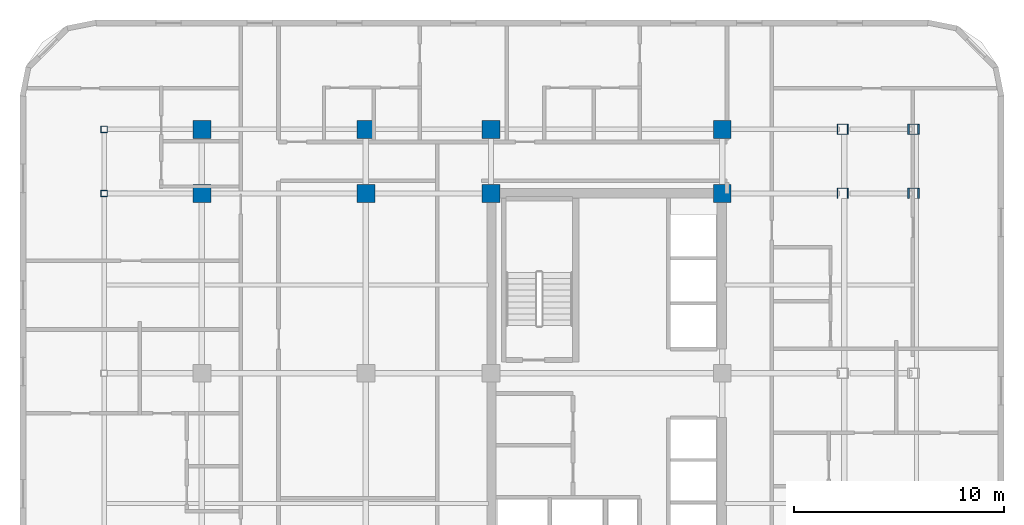
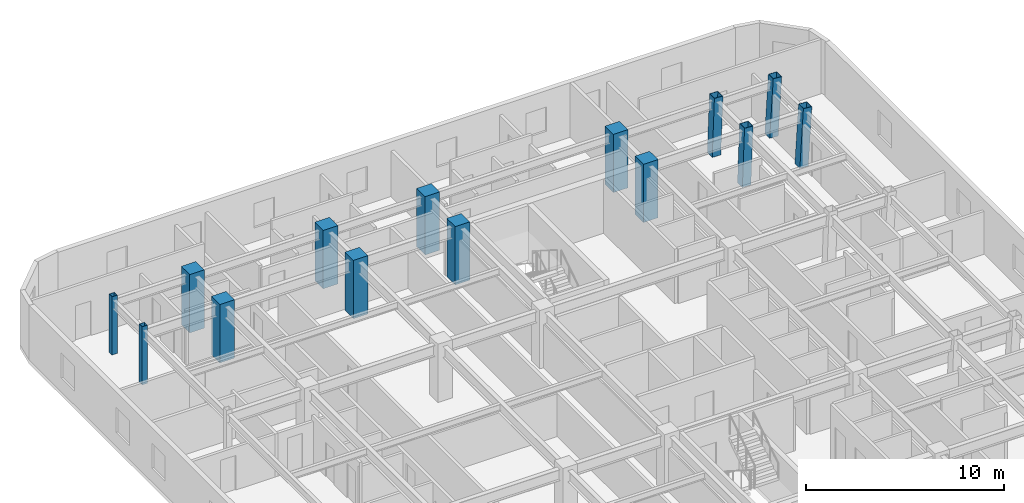
# One storey, part 3 of 12: 14 columns.
"""IFC4 building model written with IfcOpenShell, lengths in metres."""

from ifc_helpers import new_model, si_unit, direction, frame, origin, origin_2d, place, context, subcontext, project, spatial, rectangle, hollow_rectangle, extrude, material, material_profile, profile_set, type_object, element, save


model = new_model("IFC4")

# Units and contexts
model_context = context("Model", 3, precision=1e-05, world=origin(), true_north=direction((0.0, 1.0)))
body_context = subcontext(model_context, "Body", "Model", "MODEL_VIEW")
ifc_project = project(units=[si_unit("LENGTHUNIT", "METRE"), si_unit("AREAUNIT", "SQUARE_METRE"), si_unit("VOLUMEUNIT", "CUBIC_METRE"), si_unit("PLANEANGLEUNIT", "RADIAN"), si_unit("MASSUNIT", "GRAM", prefix="KILO")], contexts=[model_context])

# Site, building, storey
site_placement = place(None, origin())
site = spatial("IfcSite", under=ifc_project, at=site_placement, CompositionType="ELEMENT")
building_placement = place(site_placement, origin())
building = spatial("IfcBuilding", under=site, at=building_placement, Name="Ochreholt Gables", CompositionType="ELEMENT")
storey_placement = place(building_placement, frame((0.0, 0.0, 27.60009765625)))
storey = spatial("IfcBuildingStorey", under=building, at=storey_placement, Name="L06", CompositionType="ELEMENT", Elevation=27.60009765625)

# Columns
ifc_material_1 = material(Name="Steel CSA G40.21 350W", Category="steel")
ifc_material_profile_1 = material_profile(ifc_material_1, hollow_rectangle(XDim=0.304931640625, YDim=0.304931640625, WallThickness=0.0126953125, at=origin_2d()), Name="HSS305X305X13")
ifc_profile_set_1 = profile_set([ifc_material_profile_1], Name="Steel CSA G40.21 350W")
column_type_1 = type_object("IfcColumnType", Name="COL-HSS305-EXT", PredefinedType="COLUMN", material=ifc_profile_set_1)
for number, where, z_axis, x_axis, name in (
    (1, (5.800048828125, 38.75, 0.0), (0.0, 0.0, 1.0), (1.0, 0.0, 0.0), "L06 Column WTY5"),
    (2, (5.800048828125, 41.800048828125, 0.0), (0.0, 0.0, 1.0), (1.0, 0.0, 0.0), "L06 Column WTY6"),
):
    element("IfcColumn", number, at=place(storey_placement, frame(where, z_axis=z_axis, x_axis=x_axis)), inside=storey, type_object=column_type_1, Name=name, PredefinedType="COLUMN", context=body_context, shape_type="SweptSolid", body=[
        extrude(hollow_rectangle(XDim=0.304931640625, YDim=0.304931640625, WallThickness=0.0126953125, at=origin_2d()), origin(), (0.0, 0.0, 1.0), 3.599853515625),
    ])
ifc_material_profile_2 = material_profile(ifc_material_1, hollow_rectangle(XDim=0.5, YDim=0.5, WallThickness=0.02197265625, at=origin_2d()), Name="HSS500X500X22")
ifc_profile_set_2 = profile_set([ifc_material_profile_2], Name="Steel CSA G40.21 350W")
column_type_2 = type_object("IfcColumnType", Name="COL-HSS500-RAK", PredefinedType="COLUMN", material=ifc_profile_set_2)
column_1_placement = place(storey_placement, frame((40.902099609375, 38.75, 0.0), z_axis=(0.034973505036, 0.0, 0.999388239847), x_axis=(0.0, 1.0, 0.0)))
element("IfcColumn", 3, at=column_1_placement, inside=storey, type_object=column_type_2, Name="L06 Column EMY5", PredefinedType="COLUMN", context=body_context, shape_type="SweptSolid", body=[
    extrude(hollow_rectangle(XDim=0.5, YDim=0.5, WallThickness=0.02197265625, at=origin_2d()), origin(), (0.0, 0.0, 1.0), 3.60205078125),
])
ifc_material_profile_3 = material_profile(ifc_material_1, hollow_rectangle(XDim=0.5, YDim=0.5, WallThickness=0.02197265625, at=origin_2d()), Name="HSS500X500X22")
ifc_profile_set_3 = profile_set([ifc_material_profile_3], Name="Steel CSA G40.21 350W")
column_type_3 = type_object("IfcColumnType", Name="COL-HSS500-RAKE", PredefinedType="COLUMN", material=ifc_profile_set_3)
column_2_placement = place(storey_placement, frame((40.902099609375, 41.800048828125, 0.0), z_axis=(0.034973505036, 0.0, 0.999388239847), x_axis=(0.0, 1.0, 0.0)))
element("IfcColumn", 4, at=column_2_placement, inside=storey, type_object=column_type_3, Name="L06 Column EMY6", PredefinedType="COLUMN", context=body_context, shape_type="SweptSolid", body=[
    extrude(hollow_rectangle(XDim=0.5, YDim=0.5, WallThickness=0.02197265625, at=origin_2d()), origin(), (0.0, 0.0, 1.0), 3.60205078125),
])
for number, where, z_axis, x_axis, name in (
    (5, (44.257568359375, 38.75, 0.0), (0.057888518877, 0.0, 0.998323053617), (0.0, 1.0, 0.0), "L06 Column EEY5"),
    (6, (44.257568359375, 41.800048828125, 0.0), (0.057888518877, 0.0, 0.998323053617), (0.0, 1.0, 0.0), "L06 Column EEY6"),
):
    element("IfcColumn", number, at=place(storey_placement, frame(where, z_axis=z_axis, x_axis=x_axis)), inside=storey, type_object=column_type_3, Name=name, PredefinedType="COLUMN", context=body_context, shape_type="SweptSolid", body=[
        extrude(hollow_rectangle(XDim=0.5, YDim=0.5, WallThickness=0.02197265625, at=origin_2d()), origin(), (0.0, 0.0, 1.0), 3.60595703125),
    ])
ifc_material_2 = material(Name="Concrete 60 MPa", Category="concrete")
ifc_material_profile_4 = material_profile(ifc_material_2, rectangle(XDim=0.85009765625, YDim=0.85009765625, at=origin_2d()), Name="RC850X850")
ifc_profile_set_4 = profile_set([ifc_material_profile_4], Name="Concrete 60 MPa")
column_type_4 = type_object("IfcColumnType", Name="COL-RC850-EXT", PredefinedType="COLUMN", material=ifc_profile_set_4)
for number, where, z_axis, x_axis, name in (
    (7, (10.449951171875, 41.800048828125, 0.0), (0.0, 0.0, 1.0), (1.0, 0.0, 0.0), "L06 Column W2Y6"),
    (8, (18.25, 41.800048828125, 0.0), (0.0, 0.0, 1.0), (1.0, 0.0, 0.0), "L06 Column W3Y6"),
    (9, (24.199951171875, 41.800048828125, 0.0), (0.0, 0.0, 1.0), (1.0, 0.0, 0.0), "L06 Column C1Y6"),
    (10, (35.199951171875, 41.800048828125, 0.0), (0.0, 0.0, 1.0), (1.0, 0.0, 0.0), "L06 Column C2Y6"),
):
    element("IfcColumn", number, at=place(storey_placement, frame(where, z_axis=z_axis, x_axis=x_axis)), inside=storey, type_object=column_type_4, Name=name, PredefinedType="COLUMN", context=body_context, shape_type="SweptSolid", body=[
        extrude(rectangle(XDim=0.85009765625, YDim=0.85009765625, at=origin_2d()), origin(), (0.0, 0.0, 1.0), 3.599853515625),
    ])
ifc_material_profile_5 = material_profile(ifc_material_2, rectangle(XDim=0.85009765625, YDim=0.85009765625, at=origin_2d()), Name="RC850X850")
ifc_profile_set_5 = profile_set([ifc_material_profile_5], Name="Concrete 60 MPa")
column_type_5 = type_object("IfcColumnType", Name="COL-RC850-INT", PredefinedType="COLUMN", material=ifc_profile_set_5)
for number, where, z_axis, x_axis, name in (
    (11, (10.449951171875, 38.75, 0.0), (0.0, 0.0, 1.0), (1.0, 0.0, 0.0), "L06 Column W2Y5"),
    (12, (18.25, 38.75, 0.0), (0.0, 0.0, 1.0), (1.0, 0.0, 0.0), "L06 Column W3Y5"),
    (13, (24.199951171875, 38.75, 0.0), (0.0, 0.0, 1.0), (1.0, 0.0, 0.0), "L06 Column C1Y5"),
    (14, (35.199951171875, 38.75, 0.0), (0.0, 0.0, 1.0), (1.0, 0.0, 0.0), "L06 Column C2Y5"),
):
    element("IfcColumn", number, at=place(storey_placement, frame(where, z_axis=z_axis, x_axis=x_axis)), inside=storey, type_object=column_type_5, Name=name, PredefinedType="COLUMN", context=body_context, shape_type="SweptSolid", body=[
        extrude(rectangle(XDim=0.85009765625, YDim=0.85009765625, at=origin_2d()), origin(), (0.0, 0.0, 1.0), 3.599853515625),
    ])

save(model, "model.ifc")
